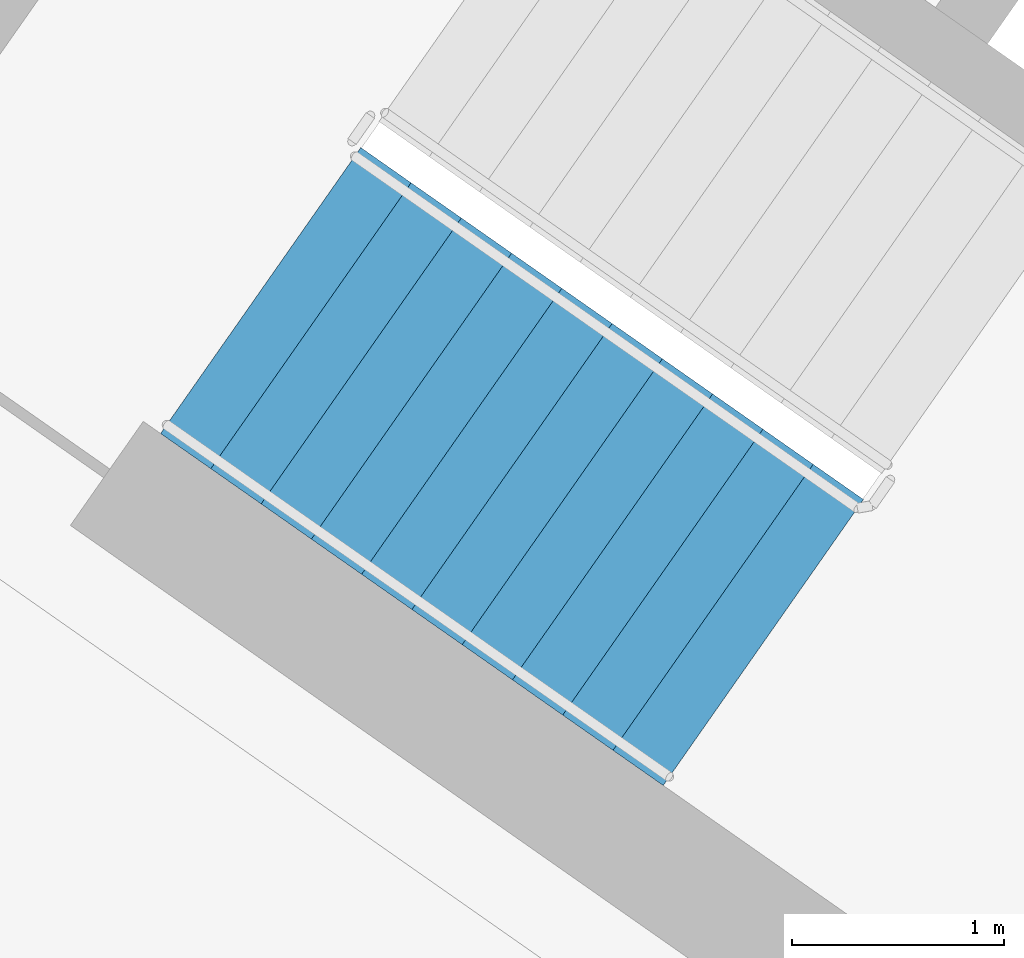
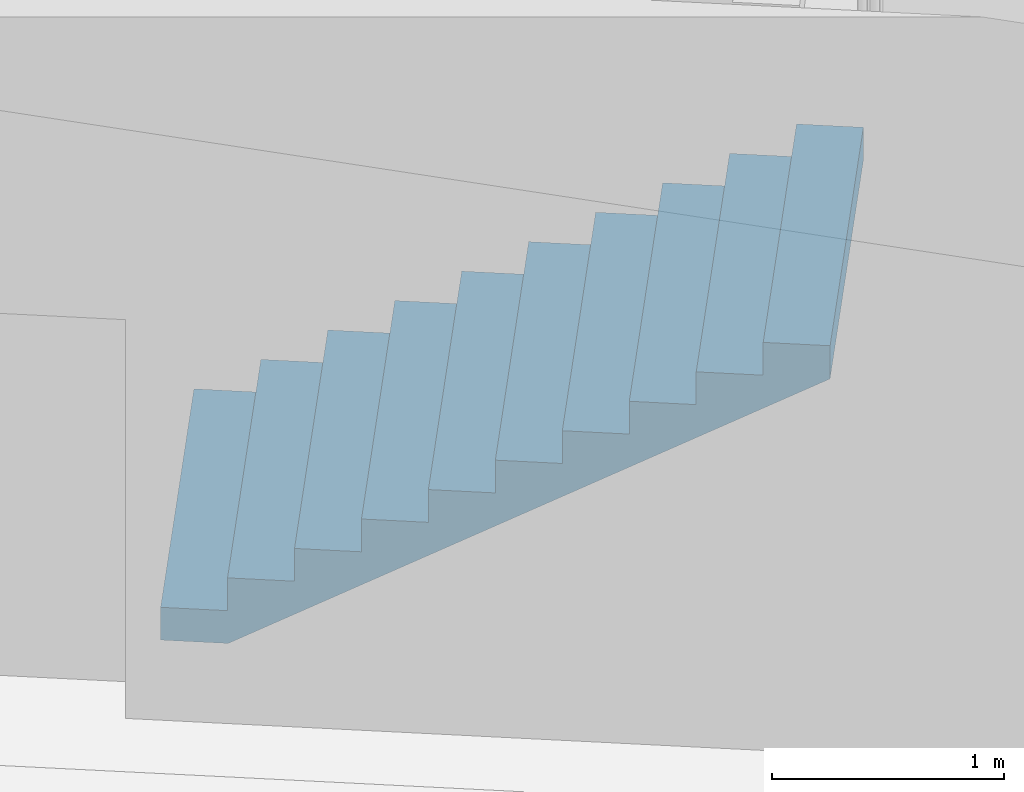
# One storey, part 11 of 27: 1 stair flight, 1 element without a shape of its own.
"""IFC4 building model written with IfcOpenShell, lengths in metres."""

from ifc_helpers import new_model, si_unit, direction, frame, origin, place, context, subcontext, project, spatial, faceted_brep, material, type_object, element, aggregate, save


model = new_model("IFC4")

# Units and contexts
model_context = context("Model", 3, precision=1e-05, world=origin(), true_north=direction((0.0, 1.0)))
body_context = subcontext(model_context, "Body", "Model", "MODEL_VIEW")
ifc_project = project(units=[si_unit("LENGTHUNIT", "METRE"), si_unit("AREAUNIT", "SQUARE_METRE"), si_unit("VOLUMEUNIT", "CUBIC_METRE"), si_unit("PLANEANGLEUNIT", "RADIAN"), si_unit("MASSUNIT", "GRAM", prefix="KILO")], contexts=[model_context])

# Site, building, storey
site_placement = place(None, origin())
site = spatial("IfcSite", under=ifc_project, at=site_placement, CompositionType="ELEMENT")
building_placement = place(site_placement, origin())
building = spatial("IfcBuilding", under=site, at=building_placement, Name="Qamariyya Broadcast Tower", CompositionType="ELEMENT")
storey_placement = place(building_placement, frame((0.0, 0.0, 179.699951171875)))
storey = spatial("IfcBuildingStorey", under=building, at=storey_placement, Name="L42", CompositionType="ELEMENT", Elevation=179.699951171875)

# Stair, stair flight
ifc_material = material(Name="Concrete C50/60", Category="concrete")
stair_type = type_object("IfcStairType", Name="Exit stair 22 risers of 173 mm", PredefinedType="HALF_TURN_STAIR", material=ifc_material)
stair_placement = place(storey_placement, origin())
stair = element("IfcStair", 1, at=stair_placement, inside=storey, type_object=stair_type, Name="L42 Stair W1", PredefinedType="HALF_TURN_STAIR")
stair_flight_type = type_object("IfcStairFlightType", Name="Exit stair flight 11 risers of 173 mm", PredefinedType="STRAIGHT", material=ifc_material)
stair_flight_placement = place(storey_placement, frame((-47.06884765625, -56.982666015625, 0.0), z_axis=(0.0, 0.0, 1.0), x_axis=(0.819152044289, -0.573576436351, 0.0)))
stair_flight = element("IfcStairFlight", 2, at=stair_flight_placement, type_object=stair_flight_type, Name="ST-W1 flight 1", NumberOfRisers=11, NumberOfTreads=10, PredefinedType="STRAIGHT", RiserHeight=0.172727273, TreadLength=0.29, context=body_context, shape_type="Brep", body=[
    faceted_brep([(0.0, 0.824951171875, 0.0), (0.0, 0.824951171875, 0.172607421875), (0.2900390625, 0.824951171875, 0.172607421875), (0.2900390625, 0.824951171875, 0.345458984375), (0.580078125, 0.824951171875, 0.345458984375), (0.580078125, 0.824951171875, 0.51806640625), (0.8701171875, 0.824951171875, 0.51806640625), (0.8701171875, 0.824951171875, 0.69091796875), (1.159912109375, 0.824951171875, 0.69091796875), (1.159912109375, 0.824951171875, 0.863525390625), (1.449951171875, 0.824951171875, 0.863525390625), (1.449951171875, 0.824951171875, 1.036376953125), (1.739990234375, 0.824951171875, 1.036376953125), (1.739990234375, 0.824951171875, 1.208984375), (2.030029296875, 0.824951171875, 1.208984375), (2.030029296875, 0.824951171875, 1.3818359375), (2.320068359375, 0.824951171875, 1.3818359375), (2.320068359375, 0.824951171875, 1.554443359375), (2.610107421875, 0.824951171875, 1.554443359375), (2.610107421875, 0.824951171875, 1.727294921875), (2.89990234375, 0.824951171875, 1.727294921875), (2.89990234375, 0.824951171875, 1.552734375), (0.29296875, 0.824951171875, 0.0), (0.29296875, -0.824951171875, 0.0), (2.89990234375, -0.824951171875, 1.552734375), (2.89990234375, -0.824951171875, 1.727294921875), (2.610107421875, -0.824951171875, 1.727294921875), (2.610107421875, -0.824951171875, 1.554443359375), (2.320068359375, -0.824951171875, 1.554443359375), (2.320068359375, -0.824951171875, 1.3818359375), (2.030029296875, -0.824951171875, 1.3818359375), (2.030029296875, -0.824951171875, 1.208984375), (1.739990234375, -0.824951171875, 1.208984375), (1.739990234375, -0.824951171875, 1.036376953125), (1.449951171875, -0.824951171875, 1.036376953125), (1.449951171875, -0.824951171875, 0.863525390625), (1.159912109375, -0.824951171875, 0.863525390625), (1.159912109375, -0.824951171875, 0.69091796875), (0.8701171875, -0.824951171875, 0.69091796875), (0.8701171875, -0.824951171875, 0.51806640625), (0.580078125, -0.824951171875, 0.51806640625), (0.580078125, -0.824951171875, 0.345458984375), (0.2900390625, -0.824951171875, 0.345458984375), (0.2900390625, -0.824951171875, 0.172607421875), (0.0, -0.824951171875, 0.172607421875), (0.0, -0.824951171875, 0.0), (0.0, 0.10009765625, 0.0), (0.0, 0.086669921875, 0.0), (0.0, 0.0732421875, 0.0), (0.0, 0.06005859375, 0.0), (0.0, 0.046630859375, 0.0), (0.0, 0.033447265625, 0.0), (0.0, 0.02001953125, 0.0), (0.0, 0.006591796875, 0.0), (0.0, -0.006591796875, 0.0), (0.0, -0.02001953125, 0.0), (0.0, -0.033447265625, 0.0), (0.0, -0.046630859375, 0.0), (0.0, -0.06005859375, 0.0), (0.0, -0.0732421875, 0.0), (0.0, -0.086669921875, 0.0), (0.0, -0.10009765625, 0.0), (0.0, -0.10009765625, 0.172607421875), (0.0, -0.086669921875, 0.172607421875), (0.0, -0.0732421875, 0.172607421875), (0.0, -0.06005859375, 0.172607421875), (0.0, -0.046630859375, 0.172607421875), (0.0, -0.033447265625, 0.172607421875), (0.0, -0.02001953125, 0.172607421875), (0.0, -0.006591796875, 0.172607421875), (0.0, 0.006591796875, 0.172607421875), (0.0, 0.02001953125, 0.172607421875), (0.0, 0.033447265625, 0.172607421875), (0.0, 0.046630859375, 0.172607421875), (0.0, 0.06005859375, 0.172607421875), (0.0, 0.0732421875, 0.172607421875), (0.0, 0.086669921875, 0.172607421875), (0.0, 0.10009765625, 0.172607421875), (0.2900390625, -0.10009765625, 0.172607421875), (0.2900390625, -0.086669921875, 0.172607421875), (0.2900390625, -0.0732421875, 0.172607421875), (0.2900390625, -0.06005859375, 0.172607421875), (0.2900390625, -0.046630859375, 0.172607421875), (0.2900390625, -0.033447265625, 0.172607421875), (0.2900390625, -0.02001953125, 0.172607421875), (0.2900390625, -0.006591796875, 0.172607421875), (0.2900390625, 0.006591796875, 0.172607421875), (0.2900390625, 0.02001953125, 0.172607421875), (0.2900390625, 0.033447265625, 0.172607421875), (0.2900390625, 0.046630859375, 0.172607421875), (0.2900390625, 0.06005859375, 0.172607421875), (0.2900390625, 0.0732421875, 0.172607421875), (0.2900390625, 0.086669921875, 0.172607421875), (0.2900390625, 0.10009765625, 0.172607421875), (0.2900390625, -0.10009765625, 0.345458984375), (0.2900390625, -0.086669921875, 0.345458984375), (0.2900390625, -0.0732421875, 0.345458984375), (0.2900390625, -0.06005859375, 0.345458984375), (0.2900390625, -0.046630859375, 0.345458984375), (0.2900390625, -0.033447265625, 0.345458984375), (0.2900390625, -0.02001953125, 0.345458984375), (0.2900390625, -0.006591796875, 0.345458984375), (0.2900390625, 0.006591796875, 0.345458984375), (0.2900390625, 0.02001953125, 0.345458984375), (0.2900390625, 0.033447265625, 0.345458984375), (0.2900390625, 0.046630859375, 0.345458984375), (0.2900390625, 0.06005859375, 0.345458984375), (0.2900390625, 0.0732421875, 0.345458984375), (0.2900390625, 0.086669921875, 0.345458984375), (0.2900390625, 0.10009765625, 0.345458984375), (0.580078125, -0.10009765625, 0.345458984375), (0.580078125, -0.086669921875, 0.345458984375), (0.580078125, -0.0732421875, 0.345458984375), (0.580078125, -0.06005859375, 0.345458984375), (0.580078125, -0.046630859375, 0.345458984375), (0.580078125, -0.033447265625, 0.345458984375), (0.580078125, -0.02001953125, 0.345458984375), (0.580078125, -0.006591796875, 0.345458984375), (0.580078125, 0.006591796875, 0.345458984375), (0.580078125, 0.02001953125, 0.345458984375), (0.580078125, 0.033447265625, 0.345458984375), (0.580078125, 0.046630859375, 0.345458984375), (0.580078125, 0.06005859375, 0.345458984375), (0.580078125, 0.0732421875, 0.345458984375), (0.580078125, 0.086669921875, 0.345458984375), (0.580078125, 0.10009765625, 0.345458984375), (0.580078125, -0.10009765625, 0.51806640625), (0.580078125, -0.086669921875, 0.51806640625), (0.580078125, -0.0732421875, 0.51806640625), (0.580078125, -0.06005859375, 0.51806640625), (0.580078125, -0.046630859375, 0.51806640625), (0.580078125, -0.033447265625, 0.51806640625), (0.580078125, -0.02001953125, 0.51806640625), (0.580078125, -0.006591796875, 0.51806640625), (0.580078125, 0.006591796875, 0.51806640625), (0.580078125, 0.02001953125, 0.51806640625), (0.580078125, 0.033447265625, 0.51806640625), (0.580078125, 0.046630859375, 0.51806640625), (0.580078125, 0.06005859375, 0.51806640625), (0.580078125, 0.0732421875, 0.51806640625), (0.580078125, 0.086669921875, 0.51806640625), (0.580078125, 0.10009765625, 0.51806640625), (0.8701171875, -0.10009765625, 0.51806640625), (0.8701171875, -0.086669921875, 0.51806640625), (0.8701171875, -0.0732421875, 0.51806640625), (0.8701171875, -0.06005859375, 0.51806640625), (0.8701171875, -0.046630859375, 0.51806640625), (0.8701171875, -0.033447265625, 0.51806640625), (0.8701171875, -0.02001953125, 0.51806640625), (0.8701171875, -0.006591796875, 0.51806640625), (0.8701171875, 0.006591796875, 0.51806640625), (0.8701171875, 0.02001953125, 0.51806640625), (0.8701171875, 0.033447265625, 0.51806640625), (0.8701171875, 0.046630859375, 0.51806640625), (0.8701171875, 0.06005859375, 0.51806640625), (0.8701171875, 0.0732421875, 0.51806640625), (0.8701171875, 0.086669921875, 0.51806640625), (0.8701171875, 0.10009765625, 0.51806640625), (0.8701171875, -0.10009765625, 0.69091796875), (0.8701171875, -0.086669921875, 0.69091796875), (0.8701171875, -0.0732421875, 0.69091796875), (0.8701171875, -0.06005859375, 0.69091796875), (0.8701171875, -0.046630859375, 0.69091796875), (0.8701171875, -0.033447265625, 0.69091796875), (0.8701171875, -0.02001953125, 0.69091796875), (0.8701171875, -0.006591796875, 0.69091796875), (0.8701171875, 0.006591796875, 0.69091796875), (0.8701171875, 0.02001953125, 0.69091796875), (0.8701171875, 0.033447265625, 0.69091796875), (0.8701171875, 0.046630859375, 0.69091796875), (0.8701171875, 0.06005859375, 0.69091796875), (0.8701171875, 0.0732421875, 0.69091796875), (0.8701171875, 0.086669921875, 0.69091796875), (0.8701171875, 0.10009765625, 0.69091796875), (1.159912109375, -0.10009765625, 0.69091796875), (1.159912109375, -0.086669921875, 0.69091796875), (1.159912109375, -0.0732421875, 0.69091796875), (1.159912109375, -0.06005859375, 0.69091796875), (1.159912109375, -0.046630859375, 0.69091796875), (1.159912109375, -0.033447265625, 0.69091796875), (1.159912109375, -0.02001953125, 0.69091796875), (1.159912109375, -0.006591796875, 0.69091796875), (1.159912109375, 0.006591796875, 0.69091796875), (1.159912109375, 0.02001953125, 0.69091796875), (1.159912109375, 0.033447265625, 0.69091796875), (1.159912109375, 0.046630859375, 0.69091796875), (1.159912109375, 0.06005859375, 0.69091796875), (1.159912109375, 0.0732421875, 0.69091796875), (1.159912109375, 0.086669921875, 0.69091796875), (1.159912109375, 0.10009765625, 0.69091796875), (1.159912109375, -0.10009765625, 0.863525390625), (1.159912109375, -0.086669921875, 0.863525390625), (1.159912109375, -0.0732421875, 0.863525390625), (1.159912109375, -0.06005859375, 0.863525390625), (1.159912109375, -0.046630859375, 0.863525390625), (1.159912109375, -0.033447265625, 0.863525390625), (1.159912109375, -0.02001953125, 0.863525390625), (1.159912109375, -0.006591796875, 0.863525390625), (1.159912109375, 0.006591796875, 0.863525390625), (1.159912109375, 0.02001953125, 0.863525390625), (1.159912109375, 0.033447265625, 0.863525390625), (1.159912109375, 0.046630859375, 0.863525390625), (1.159912109375, 0.06005859375, 0.863525390625), (1.159912109375, 0.0732421875, 0.863525390625), (1.159912109375, 0.086669921875, 0.863525390625), (1.159912109375, 0.10009765625, 0.863525390625), (1.449951171875, -0.10009765625, 0.863525390625), (1.449951171875, -0.086669921875, 0.863525390625), (1.449951171875, -0.0732421875, 0.863525390625), (1.449951171875, -0.06005859375, 0.863525390625), (1.449951171875, -0.046630859375, 0.863525390625), (1.449951171875, -0.033447265625, 0.863525390625), (1.449951171875, -0.02001953125, 0.863525390625), (1.449951171875, -0.006591796875, 0.863525390625), (1.449951171875, 0.006591796875, 0.863525390625), (1.449951171875, 0.02001953125, 0.863525390625), (1.449951171875, 0.033447265625, 0.863525390625), (1.449951171875, 0.046630859375, 0.863525390625), (1.449951171875, 0.06005859375, 0.863525390625), (1.449951171875, 0.0732421875, 0.863525390625), (1.449951171875, 0.086669921875, 0.863525390625), (1.449951171875, 0.10009765625, 0.863525390625), (1.449951171875, -0.10009765625, 1.036376953125), (1.449951171875, -0.086669921875, 1.036376953125), (1.449951171875, -0.0732421875, 1.036376953125), (1.449951171875, -0.06005859375, 1.036376953125), (1.449951171875, -0.046630859375, 1.036376953125), (1.449951171875, -0.033447265625, 1.036376953125), (1.449951171875, -0.02001953125, 1.036376953125), (1.449951171875, -0.006591796875, 1.036376953125), (1.449951171875, 0.006591796875, 1.036376953125), (1.449951171875, 0.02001953125, 1.036376953125), (1.449951171875, 0.033447265625, 1.036376953125), (1.449951171875, 0.046630859375, 1.036376953125), (1.449951171875, 0.06005859375, 1.036376953125), (1.449951171875, 0.0732421875, 1.036376953125), (1.449951171875, 0.086669921875, 1.036376953125), (1.449951171875, 0.10009765625, 1.036376953125), (1.739990234375, -0.10009765625, 1.036376953125), (1.739990234375, -0.086669921875, 1.036376953125), (1.739990234375, -0.0732421875, 1.036376953125), (1.739990234375, -0.06005859375, 1.036376953125), (1.739990234375, -0.046630859375, 1.036376953125), (1.739990234375, -0.033447265625, 1.036376953125), (1.739990234375, -0.02001953125, 1.036376953125), (1.739990234375, -0.006591796875, 1.036376953125), (1.739990234375, 0.006591796875, 1.036376953125), (1.739990234375, 0.02001953125, 1.036376953125), (1.739990234375, 0.033447265625, 1.036376953125), (1.739990234375, 0.046630859375, 1.036376953125), (1.739990234375, 0.06005859375, 1.036376953125), (1.739990234375, 0.0732421875, 1.036376953125), (1.739990234375, 0.086669921875, 1.036376953125), (1.739990234375, 0.10009765625, 1.036376953125), (1.739990234375, -0.10009765625, 1.208984375), (1.739990234375, -0.086669921875, 1.208984375), (1.739990234375, -0.0732421875, 1.208984375), (1.739990234375, -0.06005859375, 1.208984375), (1.739990234375, -0.046630859375, 1.208984375), (1.739990234375, -0.033447265625, 1.208984375), (1.739990234375, -0.02001953125, 1.208984375), (1.739990234375, -0.006591796875, 1.208984375), (1.739990234375, 0.006591796875, 1.208984375), (1.739990234375, 0.02001953125, 1.208984375), (1.739990234375, 0.033447265625, 1.208984375), (1.739990234375, 0.046630859375, 1.208984375), (1.739990234375, 0.06005859375, 1.208984375), (1.739990234375, 0.0732421875, 1.208984375), (1.739990234375, 0.086669921875, 1.208984375), (1.739990234375, 0.10009765625, 1.208984375), (2.030029296875, -0.10009765625, 1.208984375), (2.030029296875, -0.086669921875, 1.208984375), (2.030029296875, -0.0732421875, 1.208984375), (2.030029296875, -0.06005859375, 1.208984375), (2.030029296875, -0.046630859375, 1.208984375), (2.030029296875, -0.033447265625, 1.208984375), (2.030029296875, -0.02001953125, 1.208984375), (2.030029296875, -0.006591796875, 1.208984375), (2.030029296875, 0.006591796875, 1.208984375), (2.030029296875, 0.02001953125, 1.208984375), (2.030029296875, 0.033447265625, 1.208984375), (2.030029296875, 0.046630859375, 1.208984375), (2.030029296875, 0.06005859375, 1.208984375), (2.030029296875, 0.0732421875, 1.208984375), (2.030029296875, 0.086669921875, 1.208984375), (2.030029296875, 0.10009765625, 1.208984375), (2.030029296875, -0.10009765625, 1.3818359375), (2.030029296875, -0.086669921875, 1.3818359375), (2.030029296875, -0.0732421875, 1.3818359375), (2.030029296875, -0.06005859375, 1.3818359375), (2.030029296875, -0.046630859375, 1.3818359375), (2.030029296875, -0.033447265625, 1.3818359375), (2.030029296875, -0.02001953125, 1.3818359375), (2.030029296875, -0.006591796875, 1.3818359375), (2.030029296875, 0.006591796875, 1.3818359375), (2.030029296875, 0.02001953125, 1.3818359375), (2.030029296875, 0.033447265625, 1.3818359375), (2.030029296875, 0.046630859375, 1.3818359375), (2.030029296875, 0.06005859375, 1.3818359375), (2.030029296875, 0.0732421875, 1.3818359375), (2.030029296875, 0.086669921875, 1.3818359375), (2.030029296875, 0.10009765625, 1.3818359375), (2.320068359375, -0.10009765625, 1.3818359375), (2.320068359375, -0.086669921875, 1.3818359375), (2.320068359375, -0.0732421875, 1.3818359375), (2.320068359375, -0.06005859375, 1.3818359375), (2.320068359375, -0.046630859375, 1.3818359375), (2.320068359375, -0.033447265625, 1.3818359375), (2.320068359375, -0.02001953125, 1.3818359375), (2.320068359375, -0.006591796875, 1.3818359375), (2.320068359375, 0.006591796875, 1.3818359375), (2.320068359375, 0.02001953125, 1.3818359375), (2.320068359375, 0.033447265625, 1.3818359375), (2.320068359375, 0.046630859375, 1.3818359375), (2.320068359375, 0.06005859375, 1.3818359375), (2.320068359375, 0.0732421875, 1.3818359375), (2.320068359375, 0.086669921875, 1.3818359375), (2.320068359375, 0.10009765625, 1.3818359375), (2.320068359375, -0.10009765625, 1.554443359375), (2.320068359375, -0.086669921875, 1.554443359375), (2.320068359375, -0.0732421875, 1.554443359375), (2.320068359375, -0.06005859375, 1.554443359375), (2.320068359375, -0.046630859375, 1.554443359375), (2.320068359375, -0.033447265625, 1.554443359375), (2.320068359375, -0.02001953125, 1.554443359375), (2.320068359375, -0.006591796875, 1.554443359375), (2.320068359375, 0.006591796875, 1.554443359375), (2.320068359375, 0.02001953125, 1.554443359375), (2.320068359375, 0.033447265625, 1.554443359375), (2.320068359375, 0.046630859375, 1.554443359375), (2.320068359375, 0.06005859375, 1.554443359375), (2.320068359375, 0.0732421875, 1.554443359375), (2.320068359375, 0.086669921875, 1.554443359375), (2.320068359375, 0.10009765625, 1.554443359375), (2.610107421875, -0.10009765625, 1.554443359375), (2.610107421875, -0.086669921875, 1.554443359375), (2.610107421875, -0.0732421875, 1.554443359375), (2.610107421875, -0.06005859375, 1.554443359375), (2.610107421875, -0.046630859375, 1.554443359375), (2.610107421875, -0.033447265625, 1.554443359375), (2.610107421875, -0.02001953125, 1.554443359375), (2.610107421875, -0.006591796875, 1.554443359375), (2.610107421875, 0.006591796875, 1.554443359375), (2.610107421875, 0.02001953125, 1.554443359375), (2.610107421875, 0.033447265625, 1.554443359375), (2.610107421875, 0.046630859375, 1.554443359375), (2.610107421875, 0.06005859375, 1.554443359375), (2.610107421875, 0.0732421875, 1.554443359375), (2.610107421875, 0.086669921875, 1.554443359375), (2.610107421875, 0.10009765625, 1.554443359375), (2.610107421875, -0.10009765625, 1.727294921875), (2.610107421875, -0.086669921875, 1.727294921875), (2.610107421875, -0.0732421875, 1.727294921875), (2.610107421875, -0.06005859375, 1.727294921875), (2.610107421875, -0.046630859375, 1.727294921875), (2.610107421875, -0.033447265625, 1.727294921875), (2.610107421875, -0.02001953125, 1.727294921875), (2.610107421875, -0.006591796875, 1.727294921875), (2.610107421875, 0.006591796875, 1.727294921875), (2.610107421875, 0.02001953125, 1.727294921875), (2.610107421875, 0.033447265625, 1.727294921875), (2.610107421875, 0.046630859375, 1.727294921875), (2.610107421875, 0.06005859375, 1.727294921875), (2.610107421875, 0.0732421875, 1.727294921875), (2.610107421875, 0.086669921875, 1.727294921875), (2.610107421875, 0.10009765625, 1.727294921875), (2.89990234375, -0.10009765625, 1.727294921875), (2.89990234375, -0.086669921875, 1.727294921875), (2.89990234375, -0.0732421875, 1.727294921875), (2.89990234375, -0.06005859375, 1.727294921875), (2.89990234375, -0.046630859375, 1.727294921875), (2.89990234375, -0.033447265625, 1.727294921875), (2.89990234375, -0.02001953125, 1.727294921875), (2.89990234375, -0.006591796875, 1.727294921875), (2.89990234375, 0.006591796875, 1.727294921875), (2.89990234375, 0.02001953125, 1.727294921875), (2.89990234375, 0.033447265625, 1.727294921875), (2.89990234375, 0.046630859375, 1.727294921875), (2.89990234375, 0.06005859375, 1.727294921875), (2.89990234375, 0.0732421875, 1.727294921875), (2.89990234375, 0.086669921875, 1.727294921875), (2.89990234375, 0.10009765625, 1.727294921875), (2.89990234375, -0.10009765625, 1.552734375), (2.89990234375, -0.086669921875, 1.552734375), (2.89990234375, -0.0732421875, 1.552734375), (2.89990234375, -0.06005859375, 1.552734375), (2.89990234375, -0.046630859375, 1.552734375), (2.89990234375, -0.033447265625, 1.552734375), (2.89990234375, -0.02001953125, 1.552734375), (2.89990234375, -0.006591796875, 1.552734375), (2.89990234375, 0.006591796875, 1.552734375), (2.89990234375, 0.02001953125, 1.552734375), (2.89990234375, 0.033447265625, 1.552734375), (2.89990234375, 0.046630859375, 1.552734375), (2.89990234375, 0.06005859375, 1.552734375), (2.89990234375, 0.0732421875, 1.552734375), (2.89990234375, 0.086669921875, 1.552734375), (2.89990234375, 0.10009765625, 1.552734375), (0.29296875, -0.10009765625, 0.0), (0.29296875, -0.086669921875, 0.0), (0.29296875, -0.0732421875, 0.0), (0.29296875, -0.06005859375, 0.0), (0.29296875, -0.046630859375, 0.0), (0.29296875, -0.033447265625, 0.0), (0.29296875, -0.02001953125, 0.0), (0.29296875, -0.006591796875, 0.0), (0.29296875, 0.006591796875, 0.0), (0.29296875, 0.02001953125, 0.0), (0.29296875, 0.033447265625, 0.0), (0.29296875, 0.046630859375, 0.0), (0.29296875, 0.06005859375, 0.0), (0.29296875, 0.0732421875, 0.0), (0.29296875, 0.086669921875, 0.0), (0.29296875, 0.10009765625, 0.0)], [[[0, 1, 2, 3, 4, 5, 6, 7, 8, 9, 10, 11, 12, 13, 14, 15, 16, 17, 18, 19, 20, 21, 22]], [[23, 24, 25, 26, 27, 28, 29, 30, 31, 32, 33, 34, 35, 36, 37, 38, 39, 40, 41, 42, 43, 44, 45]], [[0, 46, 47, 48, 49, 50, 51, 52, 53, 54, 55, 56, 57, 58, 59, 60, 61, 45, 44, 62, 63, 64, 65, 66, 67, 68, 69, 70, 71, 72, 73, 74, 75, 76, 77, 1]], [[1, 77, 76, 75, 74, 73, 72, 71, 70, 69, 68, 67, 66, 65, 64, 63, 62, 44, 43, 78, 79, 80, 81, 82, 83, 84, 85, 86, 87, 88, 89, 90, 91, 92, 93, 2]], [[2, 93, 92, 91, 90, 89, 88, 87, 86, 85, 84, 83, 82, 81, 80, 79, 78, 43, 42, 94, 95, 96, 97, 98, 99, 100, 101, 102, 103, 104, 105, 106, 107, 108, 109, 3]], [[3, 109, 108, 107, 106, 105, 104, 103, 102, 101, 100, 99, 98, 97, 96, 95, 94, 42, 41, 110, 111, 112, 113, 114, 115, 116, 117, 118, 119, 120, 121, 122, 123, 124, 125, 4]], [[4, 125, 124, 123, 122, 121, 120, 119, 118, 117, 116, 115, 114, 113, 112, 111, 110, 41, 40, 126, 127, 128, 129, 130, 131, 132, 133, 134, 135, 136, 137, 138, 139, 140, 141, 5]], [[5, 141, 140, 139, 138, 137, 136, 135, 134, 133, 132, 131, 130, 129, 128, 127, 126, 40, 39, 142, 143, 144, 145, 146, 147, 148, 149, 150, 151, 152, 153, 154, 155, 156, 157, 6]], [[6, 157, 156, 155, 154, 153, 152, 151, 150, 149, 148, 147, 146, 145, 144, 143, 142, 39, 38, 158, 159, 160, 161, 162, 163, 164, 165, 166, 167, 168, 169, 170, 171, 172, 173, 7]], [[7, 173, 172, 171, 170, 169, 168, 167, 166, 165, 164, 163, 162, 161, 160, 159, 158, 38, 37, 174, 175, 176, 177, 178, 179, 180, 181, 182, 183, 184, 185, 186, 187, 188, 189, 8]], [[8, 189, 188, 187, 186, 185, 184, 183, 182, 181, 180, 179, 178, 177, 176, 175, 174, 37, 36, 190, 191, 192, 193, 194, 195, 196, 197, 198, 199, 200, 201, 202, 203, 204, 205, 9]], [[9, 205, 204, 203, 202, 201, 200, 199, 198, 197, 196, 195, 194, 193, 192, 191, 190, 36, 35, 206, 207, 208, 209, 210, 211, 212, 213, 214, 215, 216, 217, 218, 219, 220, 221, 10]], [[10, 221, 220, 219, 218, 217, 216, 215, 214, 213, 212, 211, 210, 209, 208, 207, 206, 35, 34, 222, 223, 224, 225, 226, 227, 228, 229, 230, 231, 232, 233, 234, 235, 236, 237, 11]], [[11, 237, 236, 235, 234, 233, 232, 231, 230, 229, 228, 227, 226, 225, 224, 223, 222, 34, 33, 238, 239, 240, 241, 242, 243, 244, 245, 246, 247, 248, 249, 250, 251, 252, 253, 12]], [[12, 253, 252, 251, 250, 249, 248, 247, 246, 245, 244, 243, 242, 241, 240, 239, 238, 33, 32, 254, 255, 256, 257, 258, 259, 260, 261, 262, 263, 264, 265, 266, 267, 268, 269, 13]], [[13, 269, 268, 267, 266, 265, 264, 263, 262, 261, 260, 259, 258, 257, 256, 255, 254, 32, 31, 270, 271, 272, 273, 274, 275, 276, 277, 278, 279, 280, 281, 282, 283, 284, 285, 14]], [[14, 285, 284, 283, 282, 281, 280, 279, 278, 277, 276, 275, 274, 273, 272, 271, 270, 31, 30, 286, 287, 288, 289, 290, 291, 292, 293, 294, 295, 296, 297, 298, 299, 300, 301, 15]], [[15, 301, 300, 299, 298, 297, 296, 295, 294, 293, 292, 291, 290, 289, 288, 287, 286, 30, 29, 302, 303, 304, 305, 306, 307, 308, 309, 310, 311, 312, 313, 314, 315, 316, 317, 16]], [[16, 317, 316, 315, 314, 313, 312, 311, 310, 309, 308, 307, 306, 305, 304, 303, 302, 29, 28, 318, 319, 320, 321, 322, 323, 324, 325, 326, 327, 328, 329, 330, 331, 332, 333, 17]], [[17, 333, 332, 331, 330, 329, 328, 327, 326, 325, 324, 323, 322, 321, 320, 319, 318, 28, 27, 334, 335, 336, 337, 338, 339, 340, 341, 342, 343, 344, 345, 346, 347, 348, 349, 18]], [[18, 349, 348, 347, 346, 345, 344, 343, 342, 341, 340, 339, 338, 337, 336, 335, 334, 27, 26, 350, 351, 352, 353, 354, 355, 356, 357, 358, 359, 360, 361, 362, 363, 364, 365, 19]], [[19, 365, 364, 363, 362, 361, 360, 359, 358, 357, 356, 355, 354, 353, 352, 351, 350, 26, 25, 366, 367, 368, 369, 370, 371, 372, 373, 374, 375, 376, 377, 378, 379, 380, 381, 20]], [[20, 381, 380, 379, 378, 377, 376, 375, 374, 373, 372, 371, 370, 369, 368, 367, 366, 25, 24, 382, 383, 384, 385, 386, 387, 388, 389, 390, 391, 392, 393, 394, 395, 396, 397, 21]], [[21, 397, 396, 395, 394, 393, 392, 391, 390, 389, 388, 387, 386, 385, 384, 383, 382, 24, 23, 398, 399, 400, 401, 402, 403, 404, 405, 406, 407, 408, 409, 410, 411, 412, 413, 22]], [[22, 413, 412, 411, 410, 409, 408, 407, 406, 405, 404, 403, 402, 401, 400, 399, 398, 23, 45, 61, 60, 59, 58, 57, 56, 55, 54, 53, 52, 51, 50, 49, 48, 47, 46, 0]]]),
])
aggregate(stair, [stair_flight])

save(model, "model.ifc")
